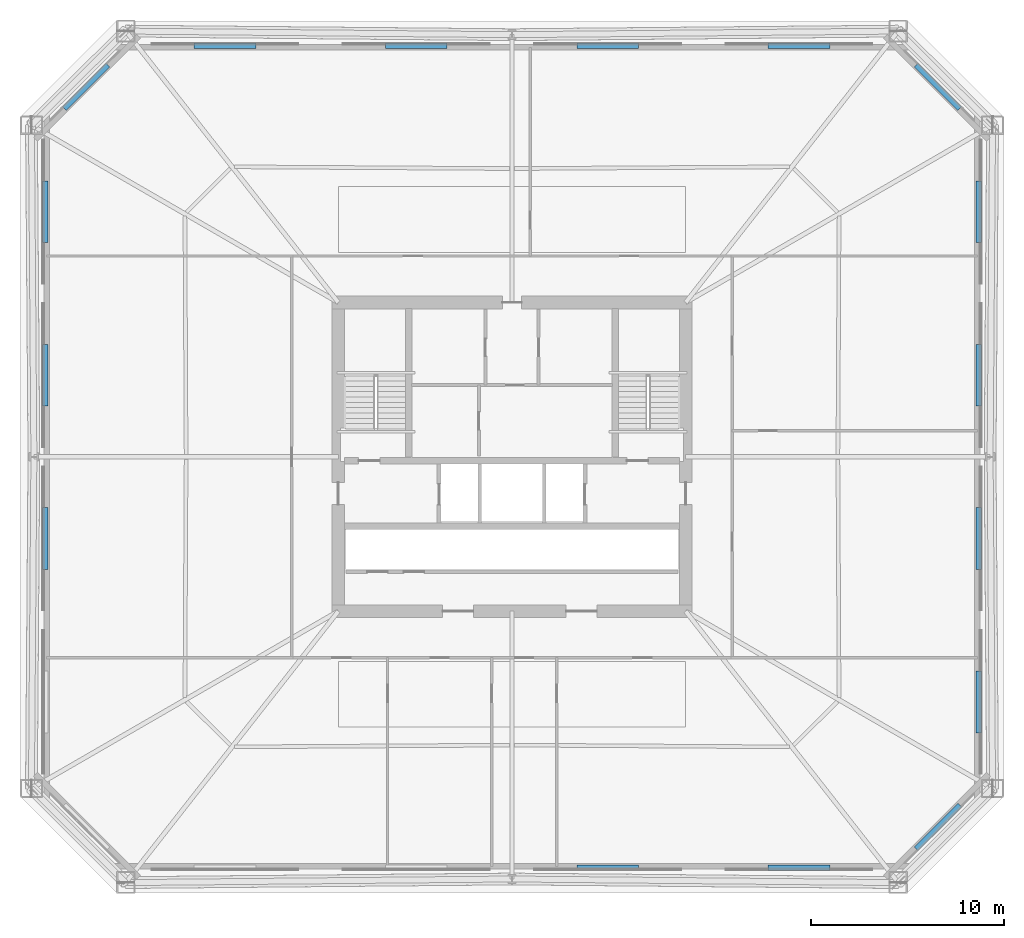
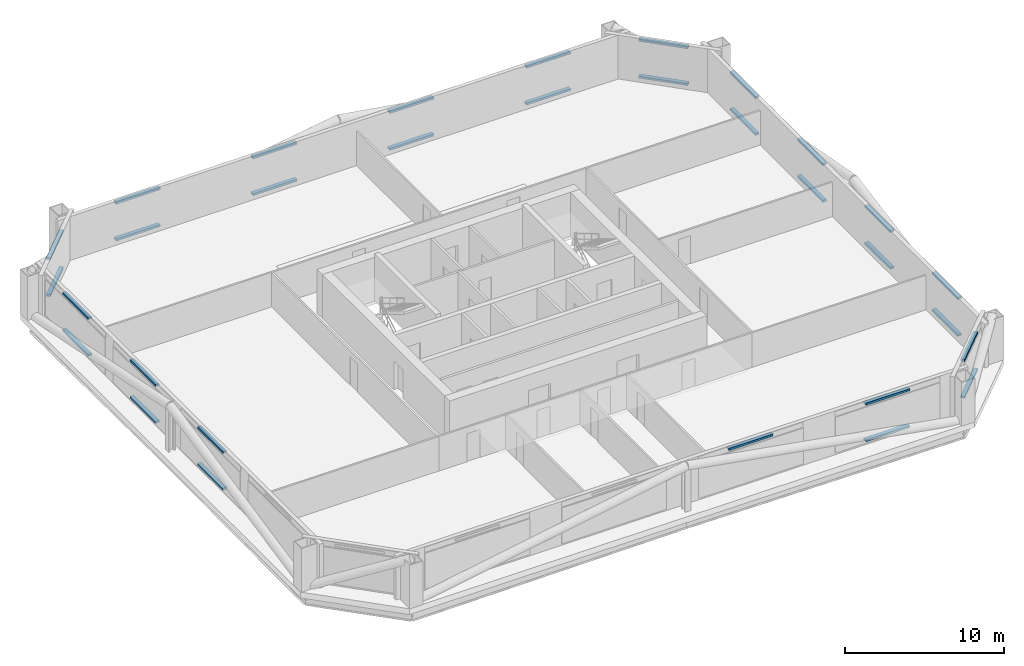
# One storey, part 6 of 8: 31 discrete accessories.
"""IFC4 building model written with IfcOpenShell, lengths in metres."""

from ifc_helpers import new_model, si_unit, direction, frame, origin, origin_2d, place, context, subcontext, project, spatial, rectangle, extrude, material, type_object, element, save


model = new_model("IFC4")

# Units and contexts
model_context = context("Model", 3, precision=1e-05, world=origin(), true_north=direction((0.0, 1.0)))
body_context = subcontext(model_context, "Body", "Model", "MODEL_VIEW")
ifc_project = project(units=[si_unit("LENGTHUNIT", "METRE"), si_unit("AREAUNIT", "SQUARE_METRE"), si_unit("VOLUMEUNIT", "CUBIC_METRE"), si_unit("PLANEANGLEUNIT", "RADIAN"), si_unit("MASSUNIT", "GRAM", prefix="KILO")], contexts=[model_context])

# Site, building, storey
site_placement = place(None, origin())
site = spatial("IfcSite", under=ifc_project, at=site_placement, CompositionType="ELEMENT")
building_placement = place(site_placement, origin())
building = spatial("IfcBuilding", under=site, at=building_placement, Name="Caelvoria Tower", CompositionType="ELEMENT")
storey_placement = place(building_placement, frame((0.0, 0.0, 49.60009765625)))
storey = spatial("IfcBuildingStorey", under=building, at=storey_placement, Name="L12", CompositionType="ELEMENT", Elevation=49.60009765625)

# Discrete accessories
ifc_material = material(Name="Anodised Bronze Stainless Bracket", Category="bronze")
discrete_accessory_type = type_object("IfcDiscreteAccessoryType", Name="Solar Screen Outrigger Support Bracket", PredefinedType="BRACKET", material=ifc_material)
for number, where, z_axis, x_axis, name in (
    (1, (50.9599609375, 10.702880859375, 3.06005859375), (0.0, 0.0, 1.0), (1.0, 0.0, 0.0), "Upper Screen Band Bracket L12-E0-02"),
    (2, (60.8798828125, 10.702880859375, 0.23974609375), (0.0, 0.0, 1.0), (1.0, 0.0, 0.0), "Solar Screen Bracket L12-E0-03"),
    (3, (60.8798828125, 10.702880859375, 3.06005859375), (0.0, 0.0, 1.0), (1.0, 0.0, 0.0), "Upper Screen Band Bracket L12-E0-03"),
    (4, (68.07861328125, 12.8212890625, 0.23974609375), (0.0, 0.0, 1.0), (0.707106781187, 0.707106781187, 0.0), "Solar Screen Bracket L12-E1-00"),
    (5, (68.07861328125, 12.8212890625, 3.06005859375), (0.0, 0.0, 1.0), (0.707106781187, 0.707106781187, 0.0), "Upper Screen Band Bracket L12-E1-00"),
    (6, (70.197021484375, 19.294921875, 0.23974609375), (0.0, 0.0, 1.0), (0.0, 1.0, 0.0), "Solar Screen Bracket L12-E2-00"),
    (7, (70.197021484375, 19.294921875, 3.06005859375), (0.0, 0.0, 1.0), (0.0, 1.0, 0.0), "Upper Screen Band Bracket L12-E2-00"),
    (8, (70.197021484375, 27.764892578125, 0.23974609375), (0.0, 0.0, 1.0), (0.0, 1.0, 0.0), "Solar Screen Bracket L12-E2-01"),
    (9, (70.197021484375, 27.764892578125, 3.06005859375), (0.0, 0.0, 1.0), (0.0, 1.0, 0.0), "Upper Screen Band Bracket L12-E2-01"),
    (10, (70.197021484375, 36.235107421875, 0.23974609375), (0.0, 0.0, 1.0), (0.0, 1.0, 0.0), "Solar Screen Bracket L12-E2-02"),
    (11, (70.197021484375, 36.235107421875, 3.06005859375), (0.0, 0.0, 1.0), (0.0, 1.0, 0.0), "Upper Screen Band Bracket L12-E2-02"),
    (12, (70.197021484375, 44.705078125, 0.23974609375), (0.0, 0.0, 1.0), (0.0, 1.0, 0.0), "Solar Screen Bracket L12-E2-03"),
    (13, (70.197021484375, 44.705078125, 3.06005859375), (0.0, 0.0, 1.0), (0.0, 1.0, 0.0), "Upper Screen Band Bracket L12-E2-03"),
    (14, (68.07861328125, 51.1787109375, 0.23974609375), (0.0, 0.0, 1.0), (-0.707106781187, 0.707106781187, 0.0), "Solar Screen Bracket L12-E3-00"),
    (15, (68.07861328125, 51.1787109375, 3.06005859375), (0.0, 0.0, 1.0), (-0.707106781187, 0.707106781187, 0.0), "Upper Screen Band Bracket L12-E3-00"),
    (16, (60.8798828125, 53.297119140625, 0.23974609375), (0.0, 0.0, 1.0), (-1.0, 0.0, 0.0), "Solar Screen Bracket L12-E4-00"),
    (17, (60.8798828125, 53.297119140625, 3.06005859375), (0.0, 0.0, 1.0), (-1.0, 0.0, 0.0), "Upper Screen Band Bracket L12-E4-00"),
    (18, (50.9599609375, 53.297119140625, 0.23974609375), (0.0, 0.0, 1.0), (-1.0, 0.0, 0.0), "Solar Screen Bracket L12-E4-01"),
    (19, (50.9599609375, 53.297119140625, 3.06005859375), (0.0, 0.0, 1.0), (-1.0, 0.0, 0.0), "Upper Screen Band Bracket L12-E4-01"),
    (20, (41.0400390625, 53.297119140625, 0.23974609375), (0.0, 0.0, 1.0), (-1.0, 0.0, 0.0), "Solar Screen Bracket L12-E4-02"),
    (21, (41.0400390625, 53.297119140625, 3.06005859375), (0.0, 0.0, 1.0), (-1.0, 0.0, 0.0), "Upper Screen Band Bracket L12-E4-02"),
    (22, (31.1201171875, 53.297119140625, 0.23974609375), (0.0, 0.0, 1.0), (-1.0, 0.0, 0.0), "Solar Screen Bracket L12-E4-03"),
    (23, (31.1201171875, 53.297119140625, 3.06005859375), (0.0, 0.0, 1.0), (-1.0, 0.0, 0.0), "Upper Screen Band Bracket L12-E4-03"),
    (24, (23.92138671875, 51.1787109375, 0.23974609375), (0.0, 0.0, 1.0), (-0.707106781187, -0.707106781187, 0.0), "Solar Screen Bracket L12-E5-00"),
    (25, (23.92138671875, 51.1787109375, 3.06005859375), (0.0, 0.0, 1.0), (-0.707106781187, -0.707106781187, 0.0), "Upper Screen Band Bracket L12-E5-00"),
    (26, (21.802978515625, 44.705078125, 0.23974609375), (0.0, 0.0, 1.0), (0.0, -1.0, 0.0), "Solar Screen Bracket L12-E6-00"),
    (27, (21.802978515625, 44.705078125, 3.06005859375), (0.0, 0.0, 1.0), (0.0, -1.0, 0.0), "Upper Screen Band Bracket L12-E6-00"),
    (28, (21.802978515625, 36.235107421875, 0.23974609375), (0.0, 0.0, 1.0), (0.0, -1.0, 0.0), "Solar Screen Bracket L12-E6-01"),
    (29, (21.802978515625, 36.235107421875, 3.06005859375), (0.0, 0.0, 1.0), (0.0, -1.0, 0.0), "Upper Screen Band Bracket L12-E6-01"),
    (30, (21.802978515625, 27.764892578125, 0.23974609375), (0.0, 0.0, 1.0), (0.0, -1.0, 0.0), "Solar Screen Bracket L12-E6-02"),
    (31, (21.802978515625, 27.764892578125, 3.06005859375), (0.0, 0.0, 1.0), (0.0, -1.0, 0.0), "Upper Screen Band Bracket L12-E6-02"),
):
    element("IfcDiscreteAccessory", number, at=place(storey_placement, frame(where, z_axis=z_axis, x_axis=x_axis)), inside=storey, type_object=discrete_accessory_type, Name=name, PredefinedType="BRACKET", context=body_context, shape_type="SweptSolid", body=[
        extrude(rectangle(XDim=3.199951171875, YDim=0.280029296875, at=origin_2d()), origin(), (0.0, 0.0, 1.0), 0.159912109375),
    ])

save(model, "model.ifc")
